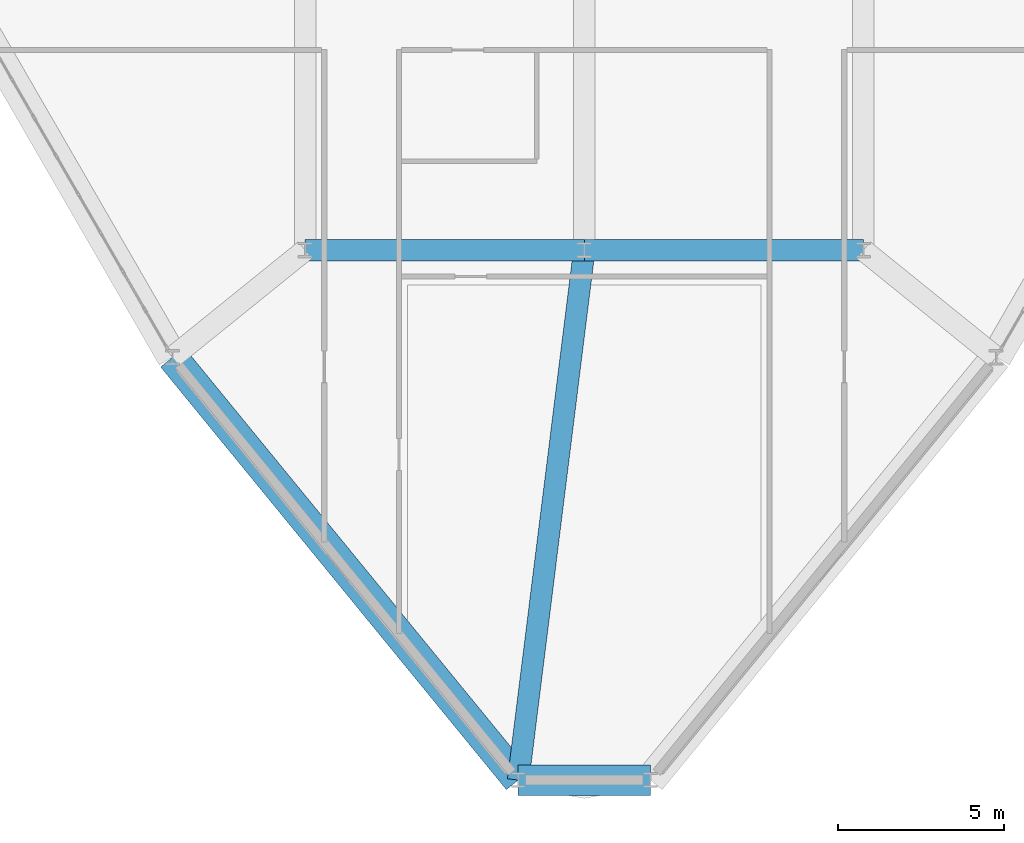
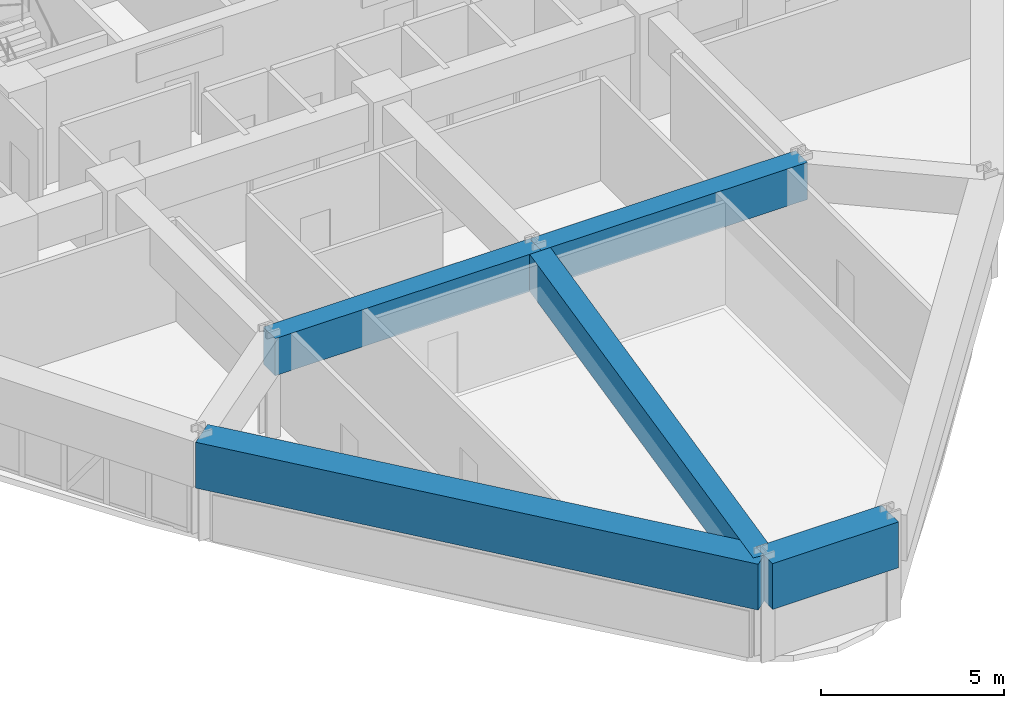
# One storey, part 3 of 15: 5 beams.
"""IFC4 building model written with IfcOpenShell, lengths in metres."""

from ifc_helpers import new_model, si_unit, derived_unit, direction, frame, origin, origin_2d, place, context, subcontext, project, spatial, rectangle, extrude, source, transform, mapped, material, material_profile, profile_set, type_object, element, save


model = new_model("IFC4")

# Units and contexts
model_context = context("Model", 3, precision=1e-05, world=origin(), true_north=direction((0.0, 1.0)))
body_context = subcontext(model_context, "Body", "Model", "MODEL_VIEW")
ifc_project = project(units=[si_unit("LENGTHUNIT", "METRE"), si_unit("AREAUNIT", "SQUARE_METRE"), si_unit("VOLUMEUNIT", "CUBIC_METRE"), si_unit("PLANEANGLEUNIT", "RADIAN"), si_unit("MASSUNIT", "GRAM", prefix="KILO"), derived_unit("THERMALTRANSMITTANCEUNIT", [(si_unit("POWERUNIT", "WATT"), 1), (si_unit("LENGTHUNIT", "METRE"), -2), (si_unit("THERMODYNAMICTEMPERATUREUNIT", "KELVIN"), -1)])], contexts=[model_context])

# Site, building, storey
site_placement = place(None, origin())
site = spatial("IfcSite", under=ifc_project, at=site_placement, CompositionType="ELEMENT")
building_placement = place(site_placement, origin())
building = spatial("IfcBuilding", under=site, at=building_placement, Name="Korsvarv Bourse and Concert Hall", CompositionType="ELEMENT")
storey_placement = place(building_placement, frame((0.0, 0.0, 109.800048828125)))
storey = spatial("IfcBuildingStorey", under=building, at=storey_placement, Name="L27", CompositionType="ELEMENT", Elevation=109.800048828125)

# Beams
ifc_material = material(Name="Concrete C50/60", Category="concrete")
ifc_material_profile_1 = material_profile(ifc_material, rectangle(XDim=0.64990234375, YDim=1.239990234375, at=origin_2d()), Name="RC-BM 650x1240")
ifc_profile_set_1 = profile_set([ifc_material_profile_1], Name="Concrete C50/60")
beam_type_1 = type_object("IfcBeamType", Name="BM-TR-SPN", PredefinedType="BEAM", material=ifc_profile_set_1)
shared_shape_1 = source(origin(), body_context, "Body", "SweptSolid", [
    extrude(rectangle(XDim=0.64990234375, YDim=1.239990234375, at=origin_2d()), origin(), (0.0, 0.0, 1.0), 8.39990234375),
])
for number, where, z_axis, x_axis, name in (
    (1, (27.60009765625, 24.0, 2.780029296875), (1.0, 0.0, 0.0), (0.0, 1.0, 0.0), "L27 beam B-TRS"),
    (2, (36.0, 24.0, 2.780029296875), (1.0, 0.0, 0.0), (0.0, 1.0, 0.0), "L27 beam B-TRS"),
):
    element("IfcBeam", number, at=place(storey_placement, frame(where, z_axis=z_axis, x_axis=x_axis)), inside=storey, type_object=beam_type_1, Name=name, PredefinedType="BEAM", context=body_context, shape_type="MappedRepresentation", body=[
        mapped(shared_shape_1, transform((0.0, 0.0, 0.0), scale=1.0)),
    ])
ifc_material_profile_2 = material_profile(ifc_material, rectangle(XDim=0.919921875, YDim=1.530029296875, at=origin_2d()), Name="RC-BM 920x1530")
ifc_profile_set_2 = profile_set([ifc_material_profile_2], Name="Concrete C50/60")
beam_type_2 = type_object("IfcBeamType", Name="BM-TR-154", PredefinedType="BEAM", material=ifc_profile_set_2)
shared_shape_2 = source(origin(), body_context, "Body", "SweptSolid", [
    extrude(rectangle(XDim=0.919921875, YDim=1.530029296875, at=origin_2d()), origin(), (0.0, 0.0, 1.0), 3.974609375),
])
beam_1_placement = place(storey_placement, frame((34.0126953125, 8.054931640625, 2.635009765625), z_axis=(1.0, 0.0, 0.0), x_axis=(0.0, 1.0, 0.0)))
element("IfcBeam", 3, at=beam_1_placement, inside=storey, type_object=beam_type_2, Name="L27 beam B-TR6", PredefinedType="BEAM", context=body_context, shape_type="MappedRepresentation", body=[
    mapped(shared_shape_2, transform((0.0, 0.0, 0.0), scale=1.0)),
])
shared_shape_3 = source(origin(), body_context, "Body", "SweptSolid", [
    extrude(rectangle(XDim=0.919921875, YDim=1.530029296875, at=origin_2d()), origin(), (0.0, 0.0, 1.0), 16.4345703125),
])
beam_2_placement = place(storey_placement, frame((23.607177734375, 20.77587890625, 2.635009765625), z_axis=(0.633145565553, -0.774032746607, 0.0), x_axis=(0.774032746607, 0.633145565553, 0.0)))
element("IfcBeam", 4, at=beam_2_placement, inside=storey, type_object=beam_type_2, Name="L27 beam B-TR6", PredefinedType="BEAM", context=body_context, shape_type="MappedRepresentation", body=[
    mapped(shared_shape_3, transform((0.0, 0.0, 0.0), scale=1.0)),
])
shared_shape_4 = source(origin(), body_context, "Body", "SweptSolid", [
    extrude(rectangle(XDim=0.64990234375, YDim=1.239990234375, at=origin_2d()), origin(), (0.0, 0.0, 1.0), 16.068359375),
])
beam_3_placement = place(storey_placement, frame((34.0126953125, 8.054931640625, 2.780029296875), z_axis=(0.123677555311, 0.992322458837, 0.0), x_axis=(-0.992322458837, 0.123677555311, 0.0)))
element("IfcBeam", 5, at=beam_3_placement, inside=storey, type_object=beam_type_1, Name="L27 beam B-TRS", PredefinedType="BEAM", context=body_context, shape_type="MappedRepresentation", body=[
    mapped(shared_shape_4, transform((0.0, 0.0, 0.0), scale=1.0)),
])

save(model, "model.ifc")
